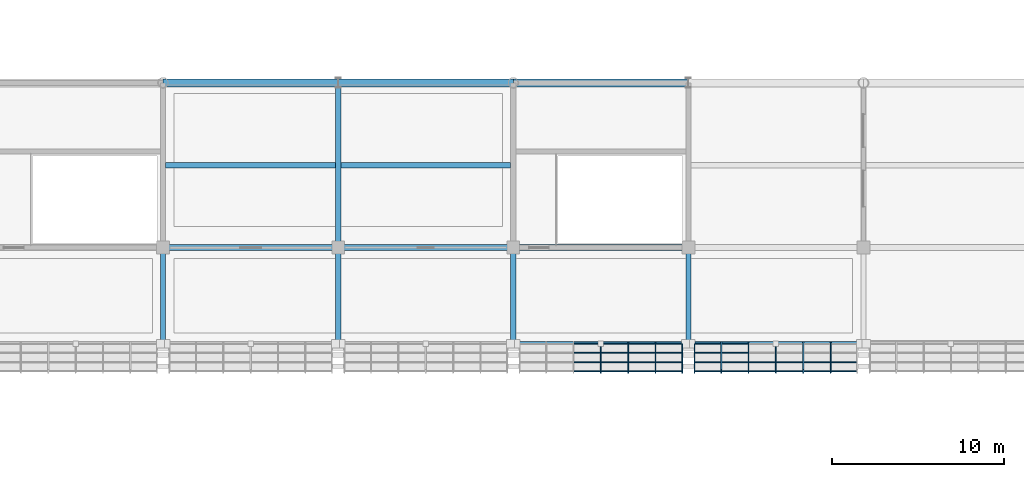
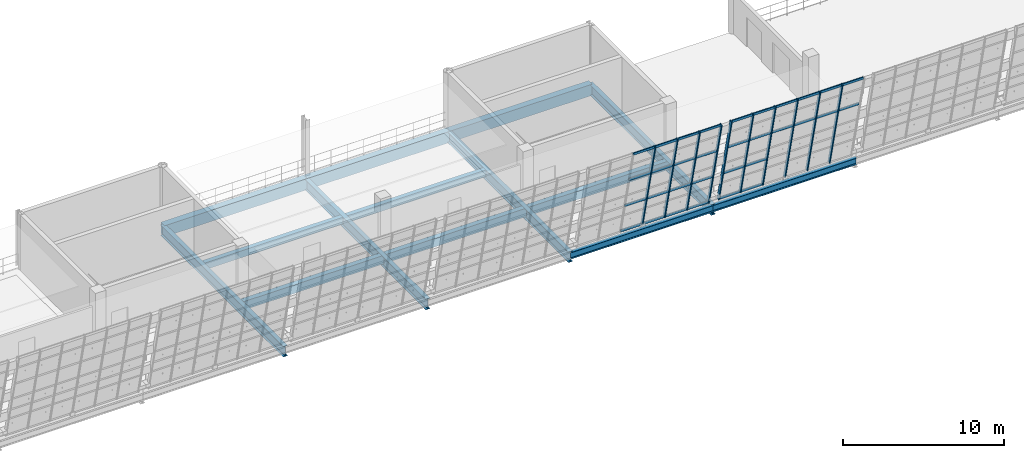
# One storey, part 29 of 157: 42 members, 14 beams, 2 elements without a shape of their own.
"""IFC4 building model written with IfcOpenShell, lengths in metres."""

from ifc_helpers import new_model, si_unit, direction, frame, origin, origin_2d, place, context, subcontext, project, spatial, rectangle, hollow_rectangle, i_section, extrude, material, material_profile, profile_set, type_object, element, aggregate, save


model = new_model("IFC4")

# Units and contexts
model_context = context("Model", 3, precision=1e-05, world=origin(), true_north=direction((0.0, 1.0)))
body_context = subcontext(model_context, "Body", "Model", "MODEL_VIEW")
ifc_project = project(units=[si_unit("LENGTHUNIT", "METRE"), si_unit("AREAUNIT", "SQUARE_METRE"), si_unit("VOLUMEUNIT", "CUBIC_METRE"), si_unit("PLANEANGLEUNIT", "RADIAN"), si_unit("MASSUNIT", "GRAM", prefix="KILO")], contexts=[model_context])

# Site, building, storey
site_placement = place(None, origin())
site = spatial("IfcSite", under=ifc_project, at=site_placement, CompositionType="ELEMENT")
building_placement = place(site_placement, origin())
building = spatial("IfcBuilding", under=site, at=building_placement, Name="Brelvane Convention Centre", CompositionType="ELEMENT")
storey_placement = place(building_placement, frame((0.0, 0.0, 10.800048828125)))
storey = spatial("IfcBuildingStorey", under=building, at=storey_placement, Name="L02", CompositionType="ELEMENT", Elevation=10.800048828125)

# Curtain wall, members
ifc_material_1 = material(Name="Anodised Aluminium Alloy 6063-T6", Category="aluminium")
curtain_wall_type = type_object("IfcCurtainWallType", Name="Curtain Wall CW-HULL-S", PredefinedType="USERDEFINED", material=ifc_material_1)
curtain_wall_1_placement = place(storey_placement, origin())
curtain_wall_1 = element("IfcCurtainWall", 1, at=curtain_wall_1_placement, inside=storey, type_object=curtain_wall_type, Name="Curtain Wall CW-HULL-S L02-HULL-S-L02-09", ObjectType="UNITISED", PredefinedType="USERDEFINED")
ifc_material_2 = material(Name="Anodised Aluminium Alloy 6063-T6", Category="aluminium")
ifc_material_profile_1 = material_profile(ifc_material_2, hollow_rectangle(XDim=0.080078125, YDim=0.239990234375, WallThickness=0.006103515625, InnerFilletRadius=0.006103515625, OuterFilletRadius=0.011962890625, at=origin_2d()), Name="ALU-M 240x80x6.0")
ifc_profile_set_1 = profile_set([ifc_material_profile_1], Name="Anodised Aluminium Alloy 6063-T6")
member_type_1 = type_object("IfcMemberType", Name="Curtain Mullion CW-M1", PredefinedType="MULLION", material=ifc_profile_set_1)
member_1_placement = place(storey_placement, frame((86.699951171875, 13.60009765625, 0.0), z_axis=(0.0, -0.228360410362, 0.973576665178), x_axis=(1.0, 0.0, 0.0)))
member_1 = element("IfcMember", 2, at=member_1_placement, type_object=member_type_1, Name="CW-HULL-S mullion 4", PredefinedType="MULLION", context=body_context, shape_type="SweptSolid", body=[
    extrude(hollow_rectangle(XDim=0.080078125, YDim=0.239990234375, WallThickness=0.006103515625, InnerFilletRadius=0.006103515625, OuterFilletRadius=0.011962890625, at=origin_2d()), origin(), (0.0, 0.0, 1.0), 7.03564453125),
])
member_2_placement = place(storey_placement, frame((88.293212890625, 13.60009765625, 0.0), z_axis=(0.0, -0.228360410362, 0.973576665178), x_axis=(1.0, 0.0, 0.0)))
member_2 = element("IfcMember", 3, at=member_2_placement, type_object=member_type_1, Name="CW-HULL-S mullion 5", PredefinedType="MULLION", context=body_context, shape_type="SweptSolid", body=[
    extrude(hollow_rectangle(XDim=0.080078125, YDim=0.239990234375, WallThickness=0.006103515625, InnerFilletRadius=0.006103515625, OuterFilletRadius=0.011962890625, at=origin_2d()), origin(), (0.0, 0.0, 1.0), 7.03564453125),
])
member_3_placement = place(storey_placement, frame((89.88671875, 13.60009765625, 0.0), z_axis=(0.0, -0.228360410362, 0.973576665178), x_axis=(1.0, 0.0, 0.0)))
member_3 = element("IfcMember", 4, at=member_3_placement, type_object=member_type_1, Name="CW-HULL-S mullion 6", PredefinedType="MULLION", context=body_context, shape_type="SweptSolid", body=[
    extrude(hollow_rectangle(XDim=0.080078125, YDim=0.239990234375, WallThickness=0.006103515625, InnerFilletRadius=0.006103515625, OuterFilletRadius=0.011962890625, at=origin_2d()), origin(), (0.0, 0.0, 1.0), 7.03564453125),
])
member_4_placement = place(storey_placement, frame((91.43994140625, 13.60009765625, 0.0), z_axis=(0.0, -0.228360410362, 0.973576665178), x_axis=(1.0, 0.0, 0.0)))
member_4 = element("IfcMember", 5, at=member_4_placement, type_object=member_type_1, Name="CW-HULL-S mullion 7", PredefinedType="MULLION", context=body_context, shape_type="SweptSolid", body=[
    extrude(hollow_rectangle(XDim=0.080078125, YDim=0.239990234375, WallThickness=0.006103515625, InnerFilletRadius=0.006103515625, OuterFilletRadius=0.011962890625, at=origin_2d()), origin(), (0.0, 0.0, 1.0), 7.03564453125),
])

curtain_wall_2_placement = place(storey_placement, origin())
curtain_wall_2 = element("IfcCurtainWall", 6, at=curtain_wall_2_placement, inside=storey, type_object=curtain_wall_type, Name="Curtain Wall CW-HULL-S L02-HULL-S-L02-10", ObjectType="UNITISED", PredefinedType="USERDEFINED")
member_5_placement = place(storey_placement, frame((92.159912109375, 13.60009765625, 0.0), z_axis=(0.0, -0.228360410362, 0.973576665178), x_axis=(1.0, 0.0, 0.0)))
member_5 = element("IfcMember", 7, at=member_5_placement, type_object=member_type_1, Name="CW-HULL-S mullion 1", PredefinedType="MULLION", context=body_context, shape_type="SweptSolid", body=[
    extrude(hollow_rectangle(XDim=0.080078125, YDim=0.239990234375, WallThickness=0.006103515625, InnerFilletRadius=0.006103515625, OuterFilletRadius=0.011962890625, at=origin_2d()), origin(), (0.0, 0.0, 1.0), 7.03564453125),
])
member_6_placement = place(storey_placement, frame((93.71337890625, 13.60009765625, 0.0), z_axis=(0.0, -0.228360410362, 0.973576665178), x_axis=(1.0, 0.0, 0.0)))
member_6 = element("IfcMember", 8, at=member_6_placement, type_object=member_type_1, Name="CW-HULL-S mullion 2", PredefinedType="MULLION", context=body_context, shape_type="SweptSolid", body=[
    extrude(hollow_rectangle(XDim=0.080078125, YDim=0.239990234375, WallThickness=0.006103515625, InnerFilletRadius=0.006103515625, OuterFilletRadius=0.011962890625, at=origin_2d()), origin(), (0.0, 0.0, 1.0), 7.03564453125),
])
member_7_placement = place(storey_placement, frame((95.306640625, 13.60009765625, 0.0), z_axis=(0.0, -0.228360410362, 0.973576665178), x_axis=(1.0, 0.0, 0.0)))
member_7 = element("IfcMember", 9, at=member_7_placement, type_object=member_type_1, Name="CW-HULL-S mullion 3", PredefinedType="MULLION", context=body_context, shape_type="SweptSolid", body=[
    extrude(hollow_rectangle(XDim=0.080078125, YDim=0.239990234375, WallThickness=0.006103515625, InnerFilletRadius=0.006103515625, OuterFilletRadius=0.011962890625, at=origin_2d()), origin(), (0.0, 0.0, 1.0), 7.03564453125),
])
member_8_placement = place(storey_placement, frame((96.89990234375, 13.60009765625, 0.0), z_axis=(0.0, -0.228360410362, 0.973576665178), x_axis=(1.0, 0.0, 0.0)))
member_8 = element("IfcMember", 10, at=member_8_placement, type_object=member_type_1, Name="CW-HULL-S mullion 4", PredefinedType="MULLION", context=body_context, shape_type="SweptSolid", body=[
    extrude(hollow_rectangle(XDim=0.080078125, YDim=0.239990234375, WallThickness=0.006103515625, InnerFilletRadius=0.006103515625, OuterFilletRadius=0.011962890625, at=origin_2d()), origin(), (0.0, 0.0, 1.0), 7.03564453125),
])
member_9_placement = place(storey_placement, frame((98.493408203125, 13.60009765625, 0.0), z_axis=(0.0, -0.228360410362, 0.973576665178), x_axis=(1.0, 0.0, 0.0)))
member_9 = element("IfcMember", 11, at=member_9_placement, type_object=member_type_1, Name="CW-HULL-S mullion 5", PredefinedType="MULLION", context=body_context, shape_type="SweptSolid", body=[
    extrude(hollow_rectangle(XDim=0.080078125, YDim=0.239990234375, WallThickness=0.006103515625, InnerFilletRadius=0.006103515625, OuterFilletRadius=0.011962890625, at=origin_2d()), origin(), (0.0, 0.0, 1.0), 7.03564453125),
])
member_10_placement = place(storey_placement, frame((100.086669921875, 13.60009765625, 0.0), z_axis=(0.0, -0.228360410362, 0.973576665178), x_axis=(1.0, 0.0, 0.0)))
member_10 = element("IfcMember", 12, at=member_10_placement, type_object=member_type_1, Name="CW-HULL-S mullion 6", PredefinedType="MULLION", context=body_context, shape_type="SweptSolid", body=[
    extrude(hollow_rectangle(XDim=0.080078125, YDim=0.239990234375, WallThickness=0.006103515625, InnerFilletRadius=0.006103515625, OuterFilletRadius=0.011962890625, at=origin_2d()), origin(), (0.0, 0.0, 1.0), 7.03564453125),
])

# Member
ifc_material_3 = material(Name="Anodised Aluminium Alloy 6063-T6", Category="aluminium")
ifc_material_profile_2 = material_profile(ifc_material_3, hollow_rectangle(XDim=0.080078125, YDim=0.179931640625, WallThickness=0.0048828125, InnerFilletRadius=0.0048828125, OuterFilletRadius=0.010009765625, at=origin_2d()), Name="ALU-T 180x80x5.0")
ifc_profile_set_2 = profile_set([ifc_material_profile_2], Name="Anodised Aluminium Alloy 6063-T6")
member_type_2 = type_object("IfcMemberType", Name="Curtain Transom CW-T1", PredefinedType="USERDEFINED", material=ifc_profile_set_2)
member_11_placement = place(storey_placement, frame((85.146728515625, 13.590576171875, 0.0400390625), z_axis=(1.0, 0.0, 0.0), x_axis=(0.0, 1.0, 0.0)))
member_11 = element("IfcMember", 13, at=member_11_placement, type_object=member_type_2, Name="CW-HULL-S transom 3.1", ObjectType="TRANSOM", PredefinedType="USERDEFINED", context=body_context, shape_type="SweptSolid", body=[
    extrude(hollow_rectangle(XDim=0.080078125, YDim=0.179931640625, WallThickness=0.0048828125, InnerFilletRadius=0.0048828125, OuterFilletRadius=0.010009765625, at=origin_2d()), origin(), (0.0, 0.0, 1.0), 1.51318359375),
])

member_12_placement = place(storey_placement, frame((85.146728515625, 13.064453125, 2.283203125), z_axis=(1.0, 0.0, 0.0), x_axis=(0.0, 1.0, 0.0)))
member_12 = element("IfcMember", 14, at=member_12_placement, type_object=member_type_2, Name="CW-HULL-S transom 3.2", ObjectType="TRANSOM", PredefinedType="USERDEFINED", context=body_context, shape_type="SweptSolid", body=[
    extrude(hollow_rectangle(XDim=0.080078125, YDim=0.179931640625, WallThickness=0.0048828125, InnerFilletRadius=0.0048828125, OuterFilletRadius=0.010009765625, at=origin_2d()), origin(), (0.0, 0.0, 1.0), 1.51318359375),
])

member_13_placement = place(storey_placement, frame((85.146728515625, 12.52880859375, 4.566650390625), z_axis=(1.0, 0.0, 0.0), x_axis=(0.0, 1.0, 0.0)))
member_13 = element("IfcMember", 15, at=member_13_placement, type_object=member_type_2, Name="CW-HULL-S transom 3.3", ObjectType="TRANSOM", PredefinedType="USERDEFINED", context=body_context, shape_type="SweptSolid", body=[
    extrude(hollow_rectangle(XDim=0.080078125, YDim=0.179931640625, WallThickness=0.0048828125, InnerFilletRadius=0.0048828125, OuterFilletRadius=0.010009765625, at=origin_2d()), origin(), (0.0, 0.0, 1.0), 1.51318359375),
])

member_14_placement = place(storey_placement, frame((85.146728515625, 12.002685546875, 6.81005859375), z_axis=(1.0, 0.0, 0.0), x_axis=(0.0, 1.0, 0.0)))
member_14 = element("IfcMember", 16, at=member_14_placement, type_object=member_type_2, Name="CW-HULL-S transom 3.4", ObjectType="TRANSOM", PredefinedType="USERDEFINED", context=body_context, shape_type="SweptSolid", body=[
    extrude(hollow_rectangle(XDim=0.080078125, YDim=0.179931640625, WallThickness=0.0048828125, InnerFilletRadius=0.0048828125, OuterFilletRadius=0.010009765625, at=origin_2d()), origin(), (0.0, 0.0, 1.0), 1.51318359375),
])

member_15_placement = place(storey_placement, frame((86.739990234375, 13.590576171875, 0.0400390625), z_axis=(1.0, 0.0, 0.0), x_axis=(0.0, 1.0, 0.0)))
member_15 = element("IfcMember", 17, at=member_15_placement, type_object=member_type_2, Name="CW-HULL-S transom 4.1", ObjectType="TRANSOM", PredefinedType="USERDEFINED", context=body_context, shape_type="SweptSolid", body=[
    extrude(hollow_rectangle(XDim=0.080078125, YDim=0.179931640625, WallThickness=0.0048828125, InnerFilletRadius=0.0048828125, OuterFilletRadius=0.010009765625, at=origin_2d()), origin(), (0.0, 0.0, 1.0), 1.513427734375),
])

member_16_placement = place(storey_placement, frame((86.739990234375, 13.064453125, 2.283203125), z_axis=(1.0, 0.0, 0.0), x_axis=(0.0, 1.0, 0.0)))
member_16 = element("IfcMember", 18, at=member_16_placement, type_object=member_type_2, Name="CW-HULL-S transom 4.2", ObjectType="TRANSOM", PredefinedType="USERDEFINED", context=body_context, shape_type="SweptSolid", body=[
    extrude(hollow_rectangle(XDim=0.080078125, YDim=0.179931640625, WallThickness=0.0048828125, InnerFilletRadius=0.0048828125, OuterFilletRadius=0.010009765625, at=origin_2d()), origin(), (0.0, 0.0, 1.0), 1.513427734375),
])

member_17_placement = place(storey_placement, frame((86.739990234375, 12.52880859375, 4.566650390625), z_axis=(1.0, 0.0, 0.0), x_axis=(0.0, 1.0, 0.0)))
member_17 = element("IfcMember", 19, at=member_17_placement, type_object=member_type_2, Name="CW-HULL-S transom 4.3", ObjectType="TRANSOM", PredefinedType="USERDEFINED", context=body_context, shape_type="SweptSolid", body=[
    extrude(hollow_rectangle(XDim=0.080078125, YDim=0.179931640625, WallThickness=0.0048828125, InnerFilletRadius=0.0048828125, OuterFilletRadius=0.010009765625, at=origin_2d()), origin(), (0.0, 0.0, 1.0), 1.513427734375),
])

member_18_placement = place(storey_placement, frame((86.739990234375, 12.002685546875, 6.81005859375), z_axis=(1.0, 0.0, 0.0), x_axis=(0.0, 1.0, 0.0)))
member_18 = element("IfcMember", 20, at=member_18_placement, type_object=member_type_2, Name="CW-HULL-S transom 4.4", ObjectType="TRANSOM", PredefinedType="USERDEFINED", context=body_context, shape_type="SweptSolid", body=[
    extrude(hollow_rectangle(XDim=0.080078125, YDim=0.179931640625, WallThickness=0.0048828125, InnerFilletRadius=0.0048828125, OuterFilletRadius=0.010009765625, at=origin_2d()), origin(), (0.0, 0.0, 1.0), 1.513427734375),
])

member_19_placement = place(storey_placement, frame((88.333251953125, 13.590576171875, 0.0400390625), z_axis=(1.0, 0.0, 0.0), x_axis=(0.0, 1.0, 0.0)))
member_19 = element("IfcMember", 21, at=member_19_placement, type_object=member_type_2, Name="CW-HULL-S transom 5.1", ObjectType="TRANSOM", PredefinedType="USERDEFINED", context=body_context, shape_type="SweptSolid", body=[
    extrude(hollow_rectangle(XDim=0.080078125, YDim=0.179931640625, WallThickness=0.0048828125, InnerFilletRadius=0.0048828125, OuterFilletRadius=0.010009765625, at=origin_2d()), origin(), (0.0, 0.0, 1.0), 1.513427734375),
])

member_20_placement = place(storey_placement, frame((88.333251953125, 13.064453125, 2.283203125), z_axis=(1.0, 0.0, 0.0), x_axis=(0.0, 1.0, 0.0)))
member_20 = element("IfcMember", 22, at=member_20_placement, type_object=member_type_2, Name="CW-HULL-S transom 5.2", ObjectType="TRANSOM", PredefinedType="USERDEFINED", context=body_context, shape_type="SweptSolid", body=[
    extrude(hollow_rectangle(XDim=0.080078125, YDim=0.179931640625, WallThickness=0.0048828125, InnerFilletRadius=0.0048828125, OuterFilletRadius=0.010009765625, at=origin_2d()), origin(), (0.0, 0.0, 1.0), 1.513427734375),
])

member_21_placement = place(storey_placement, frame((88.333251953125, 12.52880859375, 4.566650390625), z_axis=(1.0, 0.0, 0.0), x_axis=(0.0, 1.0, 0.0)))
member_21 = element("IfcMember", 23, at=member_21_placement, type_object=member_type_2, Name="CW-HULL-S transom 5.3", ObjectType="TRANSOM", PredefinedType="USERDEFINED", context=body_context, shape_type="SweptSolid", body=[
    extrude(hollow_rectangle(XDim=0.080078125, YDim=0.179931640625, WallThickness=0.0048828125, InnerFilletRadius=0.0048828125, OuterFilletRadius=0.010009765625, at=origin_2d()), origin(), (0.0, 0.0, 1.0), 1.513427734375),
])

member_22_placement = place(storey_placement, frame((88.333251953125, 12.002685546875, 6.81005859375), z_axis=(1.0, 0.0, 0.0), x_axis=(0.0, 1.0, 0.0)))
member_22 = element("IfcMember", 24, at=member_22_placement, type_object=member_type_2, Name="CW-HULL-S transom 5.4", ObjectType="TRANSOM", PredefinedType="USERDEFINED", context=body_context, shape_type="SweptSolid", body=[
    extrude(hollow_rectangle(XDim=0.080078125, YDim=0.179931640625, WallThickness=0.0048828125, InnerFilletRadius=0.0048828125, OuterFilletRadius=0.010009765625, at=origin_2d()), origin(), (0.0, 0.0, 1.0), 1.513427734375),
])

member_23_placement = place(storey_placement, frame((89.9267578125, 13.590576171875, 0.0400390625), z_axis=(1.0, 0.0, 0.0), x_axis=(0.0, 1.0, 0.0)))
member_23 = element("IfcMember", 25, at=member_23_placement, type_object=member_type_2, Name="CW-HULL-S transom 6.1", ObjectType="TRANSOM", PredefinedType="USERDEFINED", context=body_context, shape_type="SweptSolid", body=[
    extrude(hollow_rectangle(XDim=0.080078125, YDim=0.179931640625, WallThickness=0.0048828125, InnerFilletRadius=0.0048828125, OuterFilletRadius=0.010009765625, at=origin_2d()), origin(), (0.0, 0.0, 1.0), 1.47314453125),
])

member_24_placement = place(storey_placement, frame((89.9267578125, 13.064453125, 2.283203125), z_axis=(1.0, 0.0, 0.0), x_axis=(0.0, 1.0, 0.0)))
member_24 = element("IfcMember", 26, at=member_24_placement, type_object=member_type_2, Name="CW-HULL-S transom 6.2", ObjectType="TRANSOM", PredefinedType="USERDEFINED", context=body_context, shape_type="SweptSolid", body=[
    extrude(hollow_rectangle(XDim=0.080078125, YDim=0.179931640625, WallThickness=0.0048828125, InnerFilletRadius=0.0048828125, OuterFilletRadius=0.010009765625, at=origin_2d()), origin(), (0.0, 0.0, 1.0), 1.47314453125),
])

member_25_placement = place(storey_placement, frame((89.9267578125, 12.52880859375, 4.566650390625), z_axis=(1.0, 0.0, 0.0), x_axis=(0.0, 1.0, 0.0)))
member_25 = element("IfcMember", 27, at=member_25_placement, type_object=member_type_2, Name="CW-HULL-S transom 6.3", ObjectType="TRANSOM", PredefinedType="USERDEFINED", context=body_context, shape_type="SweptSolid", body=[
    extrude(hollow_rectangle(XDim=0.080078125, YDim=0.179931640625, WallThickness=0.0048828125, InnerFilletRadius=0.0048828125, OuterFilletRadius=0.010009765625, at=origin_2d()), origin(), (0.0, 0.0, 1.0), 1.47314453125),
])

member_26_placement = place(storey_placement, frame((89.9267578125, 12.002685546875, 6.81005859375), z_axis=(1.0, 0.0, 0.0), x_axis=(0.0, 1.0, 0.0)))
member_26 = element("IfcMember", 28, at=member_26_placement, type_object=member_type_2, Name="CW-HULL-S transom 6.4", ObjectType="TRANSOM", PredefinedType="USERDEFINED", context=body_context, shape_type="SweptSolid", body=[
    extrude(hollow_rectangle(XDim=0.080078125, YDim=0.179931640625, WallThickness=0.0048828125, InnerFilletRadius=0.0048828125, OuterFilletRadius=0.010009765625, at=origin_2d()), origin(), (0.0, 0.0, 1.0), 1.47314453125),
])

aggregate(curtain_wall_1, [member_1, member_2, member_3, member_4, member_11, member_12, member_13, member_14, member_15, member_16, member_17, member_18, member_19, member_20, member_21, member_22, member_23, member_24, member_25, member_26])

member_27_placement = place(storey_placement, frame((92.199951171875, 13.590576171875, 0.0400390625), z_axis=(1.0, 0.0, 0.0), x_axis=(0.0, 1.0, 0.0)))
member_27 = element("IfcMember", 29, at=member_27_placement, type_object=member_type_2, Name="CW-HULL-S transom 1.1", ObjectType="TRANSOM", PredefinedType="USERDEFINED", context=body_context, shape_type="SweptSolid", body=[
    extrude(hollow_rectangle(XDim=0.080078125, YDim=0.179931640625, WallThickness=0.0048828125, InnerFilletRadius=0.0048828125, OuterFilletRadius=0.010009765625, at=origin_2d()), origin(), (0.0, 0.0, 1.0), 1.473388671875),
])

member_28_placement = place(storey_placement, frame((92.199951171875, 13.064453125, 2.283203125), z_axis=(1.0, 0.0, 0.0), x_axis=(0.0, 1.0, 0.0)))
member_28 = element("IfcMember", 30, at=member_28_placement, type_object=member_type_2, Name="CW-HULL-S transom 1.2", ObjectType="TRANSOM", PredefinedType="USERDEFINED", context=body_context, shape_type="SweptSolid", body=[
    extrude(hollow_rectangle(XDim=0.080078125, YDim=0.179931640625, WallThickness=0.0048828125, InnerFilletRadius=0.0048828125, OuterFilletRadius=0.010009765625, at=origin_2d()), origin(), (0.0, 0.0, 1.0), 1.473388671875),
])

member_29_placement = place(storey_placement, frame((92.199951171875, 12.52880859375, 4.566650390625), z_axis=(1.0, 0.0, 0.0), x_axis=(0.0, 1.0, 0.0)))
member_29 = element("IfcMember", 31, at=member_29_placement, type_object=member_type_2, Name="CW-HULL-S transom 1.3", ObjectType="TRANSOM", PredefinedType="USERDEFINED", context=body_context, shape_type="SweptSolid", body=[
    extrude(hollow_rectangle(XDim=0.080078125, YDim=0.179931640625, WallThickness=0.0048828125, InnerFilletRadius=0.0048828125, OuterFilletRadius=0.010009765625, at=origin_2d()), origin(), (0.0, 0.0, 1.0), 1.473388671875),
])

member_30_placement = place(storey_placement, frame((92.199951171875, 12.002685546875, 6.81005859375), z_axis=(1.0, 0.0, 0.0), x_axis=(0.0, 1.0, 0.0)))
member_30 = element("IfcMember", 32, at=member_30_placement, type_object=member_type_2, Name="CW-HULL-S transom 1.4", ObjectType="TRANSOM", PredefinedType="USERDEFINED", context=body_context, shape_type="SweptSolid", body=[
    extrude(hollow_rectangle(XDim=0.080078125, YDim=0.179931640625, WallThickness=0.0048828125, InnerFilletRadius=0.0048828125, OuterFilletRadius=0.010009765625, at=origin_2d()), origin(), (0.0, 0.0, 1.0), 1.473388671875),
])

member_31_placement = place(storey_placement, frame((93.75341796875, 13.590576171875, 0.0400390625), z_axis=(1.0, 0.0, 0.0), x_axis=(0.0, 1.0, 0.0)))
member_31 = element("IfcMember", 33, at=member_31_placement, type_object=member_type_2, Name="CW-HULL-S transom 2.1", ObjectType="TRANSOM", PredefinedType="USERDEFINED", context=body_context, shape_type="SweptSolid", body=[
    extrude(hollow_rectangle(XDim=0.080078125, YDim=0.179931640625, WallThickness=0.0048828125, InnerFilletRadius=0.0048828125, OuterFilletRadius=0.010009765625, at=origin_2d()), origin(), (0.0, 0.0, 1.0), 1.51318359375),
])

member_32_placement = place(storey_placement, frame((93.75341796875, 13.064453125, 2.283203125), z_axis=(1.0, 0.0, 0.0), x_axis=(0.0, 1.0, 0.0)))
member_32 = element("IfcMember", 34, at=member_32_placement, type_object=member_type_2, Name="CW-HULL-S transom 2.2", ObjectType="TRANSOM", PredefinedType="USERDEFINED", context=body_context, shape_type="SweptSolid", body=[
    extrude(hollow_rectangle(XDim=0.080078125, YDim=0.179931640625, WallThickness=0.0048828125, InnerFilletRadius=0.0048828125, OuterFilletRadius=0.010009765625, at=origin_2d()), origin(), (0.0, 0.0, 1.0), 1.51318359375),
])

member_33_placement = place(storey_placement, frame((93.75341796875, 12.52880859375, 4.566650390625), z_axis=(1.0, 0.0, 0.0), x_axis=(0.0, 1.0, 0.0)))
member_33 = element("IfcMember", 35, at=member_33_placement, type_object=member_type_2, Name="CW-HULL-S transom 2.3", ObjectType="TRANSOM", PredefinedType="USERDEFINED", context=body_context, shape_type="SweptSolid", body=[
    extrude(hollow_rectangle(XDim=0.080078125, YDim=0.179931640625, WallThickness=0.0048828125, InnerFilletRadius=0.0048828125, OuterFilletRadius=0.010009765625, at=origin_2d()), origin(), (0.0, 0.0, 1.0), 1.51318359375),
])

member_34_placement = place(storey_placement, frame((93.75341796875, 12.002685546875, 6.81005859375), z_axis=(1.0, 0.0, 0.0), x_axis=(0.0, 1.0, 0.0)))
member_34 = element("IfcMember", 36, at=member_34_placement, type_object=member_type_2, Name="CW-HULL-S transom 2.4", ObjectType="TRANSOM", PredefinedType="USERDEFINED", context=body_context, shape_type="SweptSolid", body=[
    extrude(hollow_rectangle(XDim=0.080078125, YDim=0.179931640625, WallThickness=0.0048828125, InnerFilletRadius=0.0048828125, OuterFilletRadius=0.010009765625, at=origin_2d()), origin(), (0.0, 0.0, 1.0), 1.51318359375),
])

member_35_placement = place(storey_placement, frame((95.3466796875, 12.52880859375, 4.566650390625), z_axis=(1.0, 0.0, 0.0), x_axis=(0.0, 1.0, 0.0)))
member_35 = element("IfcMember", 37, at=member_35_placement, type_object=member_type_2, Name="CW-HULL-S transom 3.3", ObjectType="TRANSOM", PredefinedType="USERDEFINED", context=body_context, shape_type="SweptSolid", body=[
    extrude(hollow_rectangle(XDim=0.080078125, YDim=0.179931640625, WallThickness=0.0048828125, InnerFilletRadius=0.0048828125, OuterFilletRadius=0.010009765625, at=origin_2d()), origin(), (0.0, 0.0, 1.0), 1.513427734375),
])

member_36_placement = place(storey_placement, frame((95.3466796875, 12.002685546875, 6.81005859375), z_axis=(1.0, 0.0, 0.0), x_axis=(0.0, 1.0, 0.0)))
member_36 = element("IfcMember", 38, at=member_36_placement, type_object=member_type_2, Name="CW-HULL-S transom 3.4", ObjectType="TRANSOM", PredefinedType="USERDEFINED", context=body_context, shape_type="SweptSolid", body=[
    extrude(hollow_rectangle(XDim=0.080078125, YDim=0.179931640625, WallThickness=0.0048828125, InnerFilletRadius=0.0048828125, OuterFilletRadius=0.010009765625, at=origin_2d()), origin(), (0.0, 0.0, 1.0), 1.513427734375),
])

member_37_placement = place(storey_placement, frame((96.93994140625, 12.52880859375, 4.566650390625), z_axis=(1.0, 0.0, 0.0), x_axis=(0.0, 1.0, 0.0)))
member_37 = element("IfcMember", 39, at=member_37_placement, type_object=member_type_2, Name="CW-HULL-S transom 4.3", ObjectType="TRANSOM", PredefinedType="USERDEFINED", context=body_context, shape_type="SweptSolid", body=[
    extrude(hollow_rectangle(XDim=0.080078125, YDim=0.179931640625, WallThickness=0.0048828125, InnerFilletRadius=0.0048828125, OuterFilletRadius=0.010009765625, at=origin_2d()), origin(), (0.0, 0.0, 1.0), 1.513427734375),
])

member_38_placement = place(storey_placement, frame((96.93994140625, 12.002685546875, 6.81005859375), z_axis=(1.0, 0.0, 0.0), x_axis=(0.0, 1.0, 0.0)))
member_38 = element("IfcMember", 40, at=member_38_placement, type_object=member_type_2, Name="CW-HULL-S transom 4.4", ObjectType="TRANSOM", PredefinedType="USERDEFINED", context=body_context, shape_type="SweptSolid", body=[
    extrude(hollow_rectangle(XDim=0.080078125, YDim=0.179931640625, WallThickness=0.0048828125, InnerFilletRadius=0.0048828125, OuterFilletRadius=0.010009765625, at=origin_2d()), origin(), (0.0, 0.0, 1.0), 1.513427734375),
])

member_39_placement = place(storey_placement, frame((98.533447265625, 12.52880859375, 4.566650390625), z_axis=(1.0, 0.0, 0.0), x_axis=(0.0, 1.0, 0.0)))
member_39 = element("IfcMember", 41, at=member_39_placement, type_object=member_type_2, Name="CW-HULL-S transom 5.3", ObjectType="TRANSOM", PredefinedType="USERDEFINED", context=body_context, shape_type="SweptSolid", body=[
    extrude(hollow_rectangle(XDim=0.080078125, YDim=0.179931640625, WallThickness=0.0048828125, InnerFilletRadius=0.0048828125, OuterFilletRadius=0.010009765625, at=origin_2d()), origin(), (0.0, 0.0, 1.0), 1.51318359375),
])

member_40_placement = place(storey_placement, frame((98.533447265625, 12.002685546875, 6.81005859375), z_axis=(1.0, 0.0, 0.0), x_axis=(0.0, 1.0, 0.0)))
member_40 = element("IfcMember", 42, at=member_40_placement, type_object=member_type_2, Name="CW-HULL-S transom 5.4", ObjectType="TRANSOM", PredefinedType="USERDEFINED", context=body_context, shape_type="SweptSolid", body=[
    extrude(hollow_rectangle(XDim=0.080078125, YDim=0.179931640625, WallThickness=0.0048828125, InnerFilletRadius=0.0048828125, OuterFilletRadius=0.010009765625, at=origin_2d()), origin(), (0.0, 0.0, 1.0), 1.51318359375),
])

member_41_placement = place(storey_placement, frame((100.126708984375, 12.52880859375, 4.566650390625), z_axis=(1.0, 0.0, 0.0), x_axis=(0.0, 1.0, 0.0)))
member_41 = element("IfcMember", 43, at=member_41_placement, type_object=member_type_2, Name="CW-HULL-S transom 6.3", ObjectType="TRANSOM", PredefinedType="USERDEFINED", context=body_context, shape_type="SweptSolid", body=[
    extrude(hollow_rectangle(XDim=0.080078125, YDim=0.179931640625, WallThickness=0.0048828125, InnerFilletRadius=0.0048828125, OuterFilletRadius=0.010009765625, at=origin_2d()), origin(), (0.0, 0.0, 1.0), 1.473388671875),
])

member_42_placement = place(storey_placement, frame((100.126708984375, 12.002685546875, 6.81005859375), z_axis=(1.0, 0.0, 0.0), x_axis=(0.0, 1.0, 0.0)))
member_42 = element("IfcMember", 44, at=member_42_placement, type_object=member_type_2, Name="CW-HULL-S transom 6.4", ObjectType="TRANSOM", PredefinedType="USERDEFINED", context=body_context, shape_type="SweptSolid", body=[
    extrude(hollow_rectangle(XDim=0.080078125, YDim=0.179931640625, WallThickness=0.0048828125, InnerFilletRadius=0.0048828125, OuterFilletRadius=0.010009765625, at=origin_2d()), origin(), (0.0, 0.0, 1.0), 1.473388671875),
])

aggregate(curtain_wall_2, [member_5, member_6, member_7, member_8, member_9, member_10, member_27, member_28, member_29, member_30, member_31, member_32, member_33, member_34, member_35, member_36, member_37, member_38, member_39, member_40, member_41, member_42])

# Beams
ifc_material_4 = material(Name="Concrete M40", Category="concrete")
ifc_material_profile_3 = material_profile(ifc_material_4, rectangle(XDim=0.4599609375, YDim=0.840087890625, at=origin_2d()), Name="RC 460x840")
ifc_profile_set_3 = profile_set([ifc_material_profile_3], Name="Concrete M40")
beam_type_1 = type_object("IfcBeamType", Name="RC Beam B-RC11 (RC 460x840)", PredefinedType="BEAM", material=ifc_profile_set_3)
beam_1_placement = place(storey_placement, frame((61.199951171875, 28.800048828125, -0.699951171875), z_axis=(1.0, 0.0, 0.0), x_axis=(0.0, 1.0, 0.0)))
element("IfcBeam", 45, at=beam_1_placement, inside=storey, type_object=beam_type_1, Name="L02 Beam 7-8/D", PredefinedType="BEAM", context=body_context, shape_type="SweptSolid", body=[
    extrude(rectangle(XDim=0.4599609375, YDim=0.840087890625, at=origin_2d()), origin(), (0.0, 0.0, 1.0), 10.199951171875),
])
beam_2_placement = place(storey_placement, frame((71.39990234375, 28.800048828125, -0.699951171875), z_axis=(1.0, 0.0, 0.0), x_axis=(0.0, 1.0, 0.0)))
element("IfcBeam", 46, at=beam_2_placement, inside=storey, type_object=beam_type_1, Name="L02 Beam 8-9/D", PredefinedType="BEAM", context=body_context, shape_type="SweptSolid", body=[
    extrude(rectangle(XDim=0.4599609375, YDim=0.840087890625, at=origin_2d()), origin(), (0.0, 0.0, 1.0), 10.2001953125),
])
beam_3_placement = place(storey_placement, frame((81.60009765625, 28.800048828125, -0.699951171875), z_axis=(1.0, 0.0, 0.0), x_axis=(0.0, 1.0, 0.0)))
element("IfcBeam", 47, at=beam_3_placement, inside=storey, type_object=beam_type_1, Name="L02 Beam 9-10/D", PredefinedType="BEAM", context=body_context, shape_type="SweptSolid", body=[
    extrude(rectangle(XDim=0.4599609375, YDim=0.840087890625, at=origin_2d()), origin(), (0.0, 0.0, 1.0), 10.199951171875),
])
ifc_material_5 = material(Name="Concrete M40", Category="concrete")
ifc_material_profile_4 = material_profile(ifc_material_5, rectangle(XDim=0.320068359375, YDim=0.52001953125, at=origin_2d()), Name="RC 320x520")
ifc_profile_set_4 = profile_set([ifc_material_profile_4], Name="Concrete M40")
beam_type_2 = type_object("IfcBeamType", Name="RC Joist J-RC4 (RC 320x520)", PredefinedType="JOIST", material=ifc_profile_set_4)
for number, where, z_axis, x_axis, name in (
    (48, (61.35009765625, 24.0, -0.5400390625), (1.0, 0.0, 0.0), (0.0, 1.0, 0.0), "L02 Secondary Joist 7-8/CD"),
    (49, (71.550048828125, 24.0, -0.5400390625), (1.0, 0.0, 0.0), (0.0, 1.0, 0.0), "L02 Secondary Joist 8-9/CD"),
):
    element("IfcBeam", number, at=place(storey_placement, frame(where, z_axis=z_axis, x_axis=x_axis)), inside=storey, type_object=beam_type_2, Name=name, PredefinedType="JOIST", context=body_context, shape_type="SweptSolid", body=[
        extrude(rectangle(XDim=0.320068359375, YDim=0.52001953125, at=origin_2d()), origin(), (0.0, 0.0, 1.0), 9.89990234375),
    ])
ifc_material_6 = material(Name="Concrete M40", Category="concrete")
ifc_material_profile_5 = material_profile(ifc_material_6, rectangle(XDim=0.360107421875, YDim=0.639892578125, at=origin_2d()), Name="RC 360x640")
ifc_profile_set_5 = profile_set([ifc_material_profile_5], Name="Concrete M40")
beam_type_3 = type_object("IfcBeamType", Name="RC Spandrel SP-RC3 (RC 360x640)", PredefinedType="SPANDREL", material=ifc_profile_set_5)
beam_4_placement = place(storey_placement, frame((61.199951171875, 19.199951171875, -0.60009765625), z_axis=(1.0, 0.0, 0.0), x_axis=(0.0, 1.0, 0.0)))
element("IfcBeam", 50, at=beam_4_placement, inside=storey, type_object=beam_type_3, Name="L02 Beam 7-8/C", PredefinedType="SPANDREL", context=body_context, shape_type="SweptSolid", body=[
    extrude(rectangle(XDim=0.360107421875, YDim=0.639892578125, at=origin_2d()), origin(), (0.0, 0.0, 1.0), 10.199951171875),
])
beam_5_placement = place(storey_placement, frame((71.39990234375, 19.199951171875, -0.60009765625), z_axis=(1.0, 0.0, 0.0), x_axis=(0.0, 1.0, 0.0)))
element("IfcBeam", 51, at=beam_5_placement, inside=storey, type_object=beam_type_3, Name="L02 Beam 8-9/C", PredefinedType="SPANDREL", context=body_context, shape_type="SweptSolid", body=[
    extrude(rectangle(XDim=0.360107421875, YDim=0.639892578125, at=origin_2d()), origin(), (0.0, 0.0, 1.0), 10.2001953125),
])
beam_6_placement = place(storey_placement, frame((81.60009765625, 19.199951171875, -0.60009765625), z_axis=(1.0, 0.0, 0.0), x_axis=(0.0, 1.0, 0.0)))
element("IfcBeam", 52, at=beam_6_placement, inside=storey, type_object=beam_type_3, Name="L02 Beam 9-10/C", PredefinedType="SPANDREL", context=body_context, shape_type="SweptSolid", body=[
    extrude(rectangle(XDim=0.360107421875, YDim=0.639892578125, at=origin_2d()), origin(), (0.0, 0.0, 1.0), 10.199951171875),
])
ifc_material_7 = material(Name="Steel E450 (450 MPa)", Category="steel")
ifc_material_profile_6 = material_profile(ifc_material_7, i_section(OverallWidth=0.300048828125, OverallDepth=0.800048828125, WebThickness=0.015380859375, FlangeThickness=0.030029296875, FilletRadius=0.027099609375, at=origin_2d()), Name="NPB 800x300")
ifc_profile_set_6 = profile_set([ifc_material_profile_6], Name="Steel E450 (450 MPa)")
beam_type_4 = type_object("IfcBeamType", Name="Steel Beam B-ST2 (NPB 800x300)", PredefinedType="BEAM", material=ifc_profile_set_6)
for number, where, z_axis, x_axis, name in (
    (53, (61.199951171875, 13.60009765625, -0.679931640625), (0.0, 1.0, 0.0), (-1.0, 0.0, 0.0), "L02 Hull Cantilever Girder 7"),
    (54, (71.39990234375, 13.60009765625, -0.679931640625), (0.0, 1.0, 0.0), (-1.0, 0.0, 0.0), "L02 Hull Cantilever Girder 8"),
    (55, (81.60009765625, 13.60009765625, -0.679931640625), (0.0, 1.0, 0.0), (-1.0, 0.0, 0.0), "L02 Hull Cantilever Girder 9"),
    (56, (91.800048828125, 13.60009765625, -0.679931640625), (0.0, 1.0, 0.0), (-1.0, 0.0, 0.0), "L02 Hull Cantilever Girder 10"),
):
    element("IfcBeam", number, at=place(storey_placement, frame(where, z_axis=z_axis, x_axis=x_axis)), inside=storey, type_object=beam_type_4, Name=name, PredefinedType="BEAM", context=body_context, shape_type="SweptSolid", body=[
        extrude(i_section(OverallWidth=0.300048828125, OverallDepth=0.800048828125, WebThickness=0.015380859375, FlangeThickness=0.030029296875, FilletRadius=0.027099609375, at=origin_2d()), origin(), (0.0, 0.0, 1.0), 15.199951171875),
    ])
ifc_material_8 = material(Name="Steel E350 (350 MPa)", Category="steel")
ifc_material_profile_7 = material_profile(ifc_material_8, i_section(OverallWidth=0.25, OverallDepth=0.5, WebThickness=0.010009765625, FlangeThickness=0.0146484375, FilletRadius=0.01611328125, at=origin_2d()), Name="ISWB 500")
ifc_profile_set_7 = profile_set([ifc_material_profile_7], Name="Steel E350 (350 MPa)")
beam_type_5 = type_object("IfcBeamType", Name="Steel Spandrel SP-ST1 (ISWB 500)", PredefinedType="SPANDREL", material=ifc_profile_set_7)
for number, where, z_axis, x_axis, name in (
    (57, (81.60009765625, 13.60009765625, -0.530029296875), (1.0, 0.0, 0.0), (0.0, 1.0, 0.0), "L02 Hull Overhang Edge Spandrel 9"),
    (58, (91.800048828125, 13.60009765625, -0.530029296875), (1.0, 0.0, 0.0), (0.0, 1.0, 0.0), "L02 Hull Overhang Edge Spandrel 10"),
):
    element("IfcBeam", number, at=place(storey_placement, frame(where, z_axis=z_axis, x_axis=x_axis)), inside=storey, type_object=beam_type_5, Name=name, PredefinedType="SPANDREL", context=body_context, shape_type="SweptSolid", body=[
        extrude(i_section(OverallWidth=0.25, OverallDepth=0.5, WebThickness=0.010009765625, FlangeThickness=0.0146484375, FilletRadius=0.01611328125, at=origin_2d()), origin(), (0.0, 0.0, 1.0), 10.199951171875),
    ])

save(model, "model.ifc")
